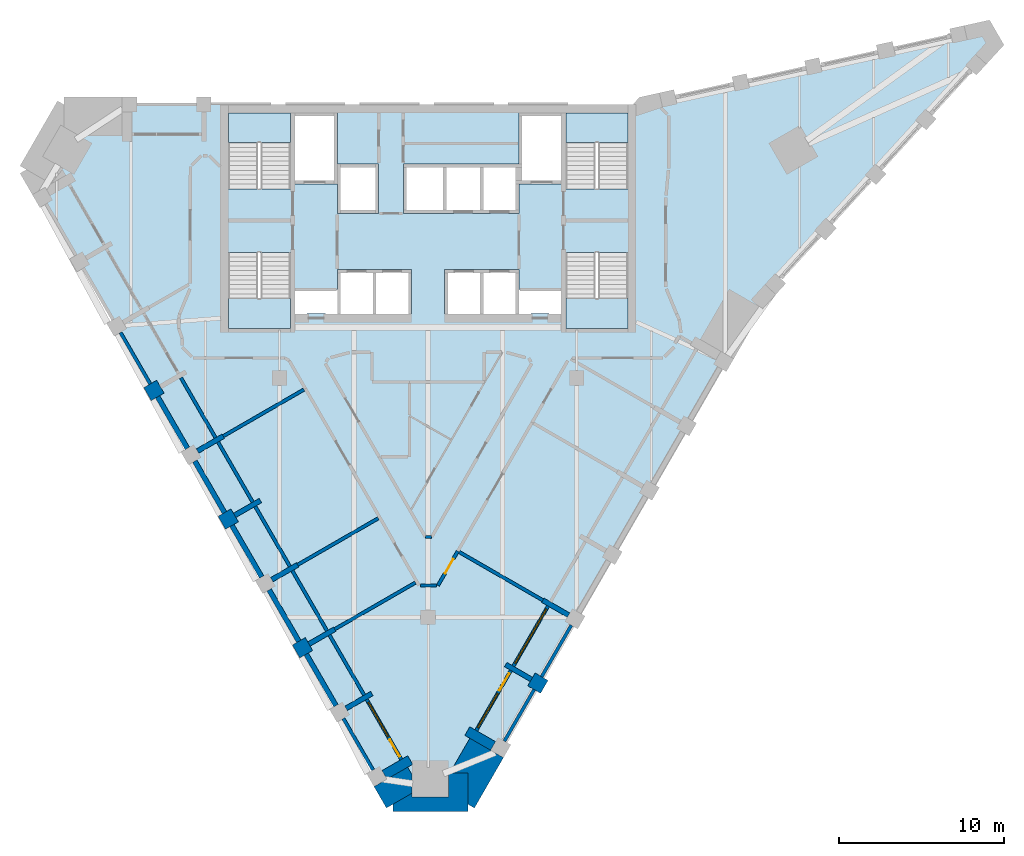
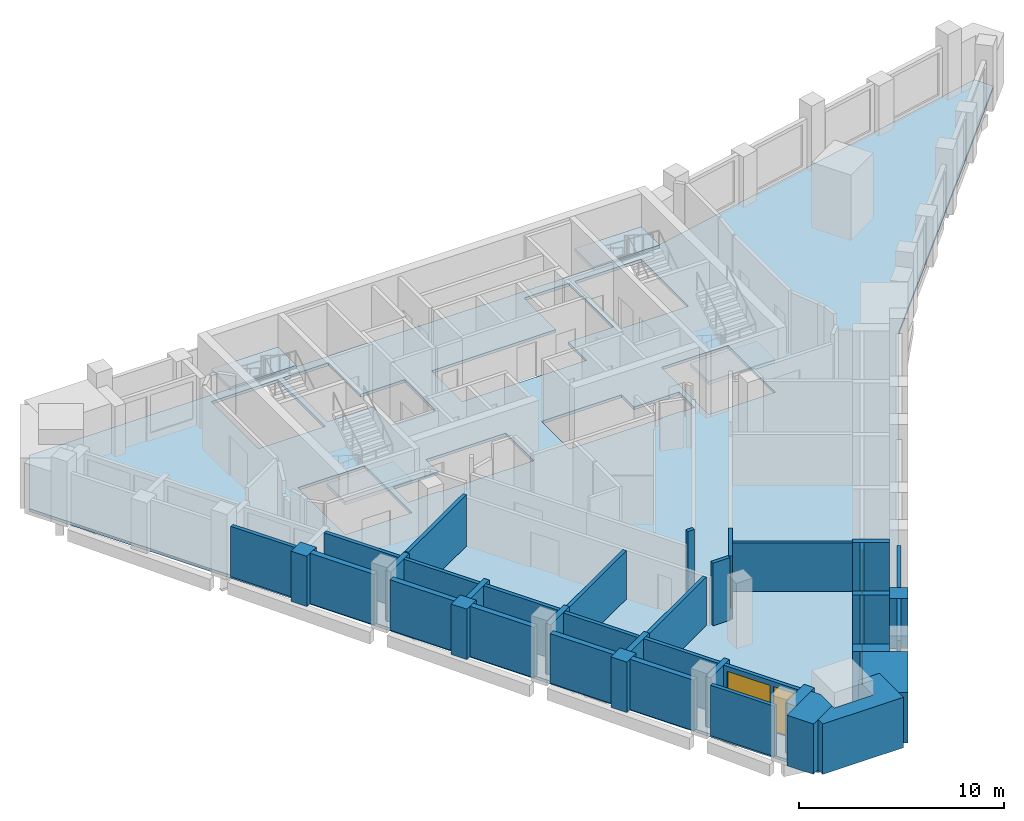
# One storey, part 2 of 8: 40 walls, 5 slabs, 3 doors, 3 windows, 6 openings, 4 elements without a shape of their own.
"""IFC4 building model written with IfcOpenShell, lengths in metres."""

from ifc_helpers import new_model, si_unit, direction, frame, frame_2d, origin, place, context, subcontext, project, spatial, polyline, rectangle, outline, extrude, material, layer, layer_set, type_object, element, fill, aggregate, save


model = new_model("IFC4")

# Units and contexts
model_context = context("Model", 3, precision=1e-05, world=origin(), true_north=direction((0.0, 1.0)))
body_context = subcontext(model_context, "Body", "Model", "MODEL_VIEW")
ifc_project = project(units=[si_unit("LENGTHUNIT", "METRE"), si_unit("AREAUNIT", "SQUARE_METRE"), si_unit("VOLUMEUNIT", "CUBIC_METRE"), si_unit("PLANEANGLEUNIT", "RADIAN"), si_unit("MASSUNIT", "GRAM", prefix="KILO")], contexts=[model_context])

# Site, building, storey
site_placement = place(None, origin())
site = spatial("IfcSite", under=ifc_project, at=site_placement, CompositionType="ELEMENT")
building_placement = place(site_placement, origin())
building = spatial("IfcBuilding", under=site, at=building_placement, Name="Calabash Gate Tower", CompositionType="ELEMENT")
storey_placement = place(building_placement, frame((0.0, 0.0, 259.89990234375)))
storey = spatial("IfcBuildingStorey", under=building, at=storey_placement, Name="L62", CompositionType="ELEMENT", Elevation=259.89990234375)

# Slab
ifc_material_1 = material(Name="Concrete C40/50", Category="concrete")
ifc_layer_1 = layer(ifc_material_1, 0.169921875)
ifc_layer_set_1 = layer_set([ifc_layer_1], Name="Composite floor slab 170 Concrete C40/50")
slab_type_1 = type_object("IfcSlabType", Name="Composite floor slab 170 Concrete C40/50", PredefinedType="FLOOR", material=ifc_layer_set_1)
slab_1_placement = place(storey_placement, frame((0.0, 0.0, -0.169921875)))
element("IfcSlab", 1, at=slab_1_placement, inside=storey, type_object=slab_type_1, Name="Floor slab L62", PredefinedType="FLOOR", context=body_context, shape_type="SweptSolid", body=[
    extrude(outline(polyline([(-24.33251953125, 15.11376953125), (-22.058349609375, 19.052490234375), (12.88134765625, 19.052490234375), (33.783935546875, 23.664794921875), (34.326904296875, 22.724365234375), (19.88134765625, 6.92822265625), (2.411376953125, -23.33056640625), (-2.136474609375, -23.33056640625), (-24.33251953125, 15.11376953125)]), holes=[polyline([(-1.0, 9.052490234375), (-3.25, 9.052490234375), (-5.5, 9.052490234375), (-5.5, 7.8525390625), (-8.050048828125, 7.8525390625), (-8.050048828125, 6.3525390625), (-7.324951171875, 6.3525390625), (-7.324951171875, 6.402587890625), (-6.22509765625, 6.402587890625), (-6.22509765625, 6.3525390625), (-5.5, 6.3525390625), (-3.25, 6.3525390625), (-1.0, 6.3525390625), (-1.0, 9.052490234375)]), polyline([(3.25, 6.3525390625), (5.5, 6.3525390625), (6.22509765625, 6.3525390625), (6.22509765625, 6.402587890625), (7.324951171875, 6.402587890625), (7.324951171875, 6.3525390625), (8.050048828125, 6.3525390625), (8.050048828125, 7.8525390625), (5.5, 7.8525390625), (5.5, 9.052490234375), (3.25, 9.052490234375), (1.0, 9.052490234375), (1.0, 6.3525390625), (3.25, 6.3525390625)]), polyline([(-5.5, 14.252685546875), (-5.5, 12.45263671875), (-3.0, 12.45263671875), (-3.0, 15.45263671875), (-5.5, 15.45263671875), (-5.5, 18.552490234375), (-8.050048828125, 18.552490234375), (-8.050048828125, 14.252685546875), (-5.5, 14.252685546875)]), polyline([(1.0, 15.45263671875), (-1.5, 15.45263671875), (-1.5, 12.45263671875), (1.0, 12.45263671875), (3.25, 12.45263671875), (5.5, 12.45263671875), (5.5, 14.252685546875), (8.050048828125, 14.252685546875), (8.050048828125, 18.552490234375), (5.5, 18.552490234375), (5.5, 15.45263671875), (3.25, 15.45263671875), (1.0, 15.45263671875)]), polyline([(-8.35009765625, 18.552490234375), (-12.10009765625, 18.552490234375), (-12.10009765625, 13.95263671875), (-8.35009765625, 13.95263671875), (-8.35009765625, 18.552490234375)]), polyline([(-12.10009765625, 10.1025390625), (-12.10009765625, 5.502685546875), (-8.35009765625, 5.502685546875), (-8.35009765625, 10.1025390625), (-12.10009765625, 10.1025390625)]), polyline([(8.35009765625, 13.95263671875), (12.10009765625, 13.95263671875), (12.10009765625, 18.552490234375), (8.35009765625, 18.552490234375), (8.35009765625, 13.95263671875)]), polyline([(12.10009765625, 5.502685546875), (12.10009765625, 10.1025390625), (8.35009765625, 10.1025390625), (8.35009765625, 5.502685546875), (12.10009765625, 5.502685546875)])]), origin(), (0.0, 0.0, 1.0), 0.169921875),
])

# Stair, slab
ifc_material_2 = material(Name="Concrete C40/50", Category="concrete")
stair_type = type_object("IfcStairType", Name="Exit stair 22 risers of 177.3 mm", PredefinedType="HALF_TURN_STAIR", material=ifc_material_2)
stair_1_placement = place(storey_placement, origin())
stair_1 = element("IfcStair", 2, at=stair_1_placement, inside=storey, type_object=stair_type, Name="L62 Exit stair ST1", PredefinedType="HALF_TURN_STAIR")
ifc_material_3 = material(Name="Concrete C40/50", Category="concrete")
ifc_layer_2 = layer(ifc_material_3, 0.199951171875)
ifc_layer_set_2 = layer_set([ifc_layer_2], Name="Stair landing SL200")
slab_type_2 = type_object("IfcSlabType", Name="Stair landing SL200", PredefinedType="LANDING", material=ifc_layer_set_2)
slab_2_placement = place(storey_placement, frame((0.0, 0.0, 1.75)))
slab_2 = element("IfcSlab", 3, at=slab_2_placement, type_object=slab_type_2, Name="ST1 landing 1", PredefinedType="LANDING", context=body_context, shape_type="SweptSolid", body=[
    extrude(outline(polyline([(-8.35009765625, 16.74267578125), (-8.35009765625, 18.552490234375), (-12.10009765625, 18.552490234375), (-12.10009765625, 16.74267578125), (-8.35009765625, 16.74267578125)])), origin(), (0.0, 0.0, 1.0), 0.2001953125),
])
aggregate(stair_1, [slab_2])

stair_2_placement = place(storey_placement, origin())
stair_2 = element("IfcStair", 4, at=stair_2_placement, inside=storey, type_object=stair_type, Name="L62 Exit stair ST2", PredefinedType="HALF_TURN_STAIR")
slab_3_placement = place(storey_placement, frame((0.0, 0.0, 1.75)))
slab_3 = element("IfcSlab", 5, at=slab_3_placement, type_object=slab_type_2, Name="ST2 landing 1", PredefinedType="LANDING", context=body_context, shape_type="SweptSolid", body=[
    extrude(outline(polyline([(-12.10009765625, 7.3125), (-12.10009765625, 5.502685546875), (-8.35009765625, 5.502685546875), (-8.35009765625, 7.3125), (-12.10009765625, 7.3125)])), origin(), (0.0, 0.0, 1.0), 0.2001953125),
])
aggregate(stair_2, [slab_3])

stair_3_placement = place(storey_placement, origin())
stair_3 = element("IfcStair", 6, at=stair_3_placement, inside=storey, type_object=stair_type, Name="L62 Exit stair ST3", PredefinedType="HALF_TURN_STAIR")
slab_4_placement = place(storey_placement, frame((0.0, 0.0, 1.75)))
slab_4 = element("IfcSlab", 7, at=slab_4_placement, type_object=slab_type_2, Name="ST3 landing 1", PredefinedType="LANDING", context=body_context, shape_type="SweptSolid", body=[
    extrude(outline(polyline([(12.10009765625, 16.74267578125), (12.10009765625, 18.552490234375), (8.35009765625, 18.552490234375), (8.35009765625, 16.74267578125), (12.10009765625, 16.74267578125)])), origin(), (0.0, 0.0, 1.0), 0.2001953125),
])
aggregate(stair_3, [slab_4])

stair_4_placement = place(storey_placement, origin())
stair_4 = element("IfcStair", 8, at=stair_4_placement, inside=storey, type_object=stair_type, Name="L62 Exit stair ST4", PredefinedType="HALF_TURN_STAIR")
slab_5_placement = place(storey_placement, frame((0.0, 0.0, 1.75)))
slab_5 = element("IfcSlab", 9, at=slab_5_placement, type_object=slab_type_2, Name="ST4 landing 1", PredefinedType="LANDING", context=body_context, shape_type="SweptSolid", body=[
    extrude(outline(polyline([(8.35009765625, 7.3125), (8.35009765625, 5.502685546875), (12.10009765625, 5.502685546875), (12.10009765625, 7.3125), (8.35009765625, 7.3125)])), origin(), (0.0, 0.0, 1.0), 0.2001953125),
])
aggregate(stair_4, [slab_5])

# Walls
ifc_material_4 = material(Name="Terracotta brick masonry, exposed face", Category="masonry")
ifc_layer_3 = layer(ifc_material_4, 2.35009765625)
ifc_layer_set_3 = layer_set([ifc_layer_3], Name="Brick corner mass wall 2350")
wall_type_1 = type_object("IfcWallType", Name="Brick corner mass wall 2350", PredefinedType="SOLIDWALL", material=ifc_layer_set_3)
wall_1_placement = place(storey_placement, origin())
element("IfcWall", 10, at=wall_1_placement, inside=storey, type_object=wall_type_1, Name="Brick corner pier S18 1a", PredefinedType="SOLIDWALL", context=body_context, shape_type="SweptSolid", body=[
    extrude(outline(polyline([(-1.239013671875, -21.085205078125), (-3.274169921875, -22.26025390625), (-2.5263671875, -23.5556640625), (-0.962890625, -22.653076171875), (-0.962890625, -21.5634765625), (-1.239013671875, -21.085205078125)])), origin(), (0.0, 0.0, 1.0), 3.0),
])
wall_2_placement = place(storey_placement, origin())
element("IfcWall", 11, at=wall_2_placement, inside=storey, type_object=wall_type_1, Name="Brick corner pier S18 1b", PredefinedType="SOLIDWALL", context=body_context, shape_type="SweptSolid", body=[
    extrude(outline(polyline([(-0.962890625, -22.881103515625), (-0.962890625, -22.653076171875), (-2.136474609375, -23.33056640625), (-2.136474609375, -23.78076171875), (2.411376953125, -23.78076171875), (2.411376953125, -21.4306640625), (1.237060546875, -21.4306640625), (1.237060546875, -22.881103515625), (-0.962890625, -22.881103515625)])), origin(), (0.0, 0.0, 1.0), 3.0),
])
wall_3_placement = place(storey_placement, origin())
element("IfcWall", 12, at=wall_3_placement, inside=storey, type_object=wall_type_1, Name="Brick corner pier S18 1c", PredefinedType="SOLIDWALL", context=body_context, shape_type="SweptSolid", body=[
    extrude(outline(polyline([(4.56103515625, -20.507080078125), (2.526123046875, -19.332275390625), (1.314453125, -21.4306640625), (2.411376953125, -21.4306640625), (2.411376953125, -23.33056640625), (2.80126953125, -23.5556640625), (4.56103515625, -20.507080078125)])), origin(), (0.0, 0.0, 1.0), 3.0),
])
ifc_material_5 = material(Name="Terracotta brick masonry, exposed face", Category="masonry")
ifc_layer_4 = layer(ifc_material_5, 0.89990234375)
ifc_layer_set_4 = layer_set([ifc_layer_4], Name="Brick end wall 900")
wall_type_2 = type_object("IfcWallType", Name="Brick end wall 900", PredefinedType="SOLIDWALL", material=ifc_layer_set_4)
for number, where, z_axis, x_axis, name in (
    (13, (-16.83447265625, 2.126953125, 0.0), (0.0, 0.0, 1.0), (0.499902469156, -0.866081705922, 0.0), "Brick pier S18 SW0.3"),
    (14, (-12.499267578125, -6.281982421875, 0.0), (0.0, 0.0, 1.0), (0.866081705922, 0.499902469156, 0.0), "Brick pier S18 SW0.5"),
    (15, (-7.999267578125, -14.076171875, 0.0), (0.0, 0.0, 1.0), (0.866081705922, 0.499902469156, 0.0), "Brick pier S18 SW0.7"),
):
    element("IfcWall", number, at=place(storey_placement, frame(where, z_axis=z_axis, x_axis=x_axis)), inside=storey, type_object=wall_type_2, Name=name, PredefinedType="SOLIDWALL", context=body_context, shape_type="SweptSolid", body=[
        extrude(rectangle(XDim=0.900146484375, YDim=0.89990234375, at=frame_2d((0.4501953125, 0.0))), origin(), (0.0, 0.0, 1.0), 3.0),
    ])
wall_4_placement = place(storey_placement, frame((6.2568359375, -15.7705078125, 0.0), z_axis=(0.0, 0.0, 1.0), x_axis=(0.866013897511, -0.50001992892, 0.0)))
element("IfcWall", 16, at=wall_4_placement, inside=storey, type_object=wall_type_2, Name="Brick pier S18 SE2.1", PredefinedType="SOLIDWALL", context=body_context, shape_type="SweptSolid", body=[
    extrude(rectangle(XDim=0.89990234375, YDim=0.89990234375, at=frame_2d((0.449951171875, 0.0))), origin(), (0.0, 0.0, 1.0), 3.0),
])
ifc_material_6 = material(Name="Terracotta brick masonry, exposed face", Category="masonry")
ifc_layer_5 = layer(ifc_material_6, 0.300048828125)
ifc_layer_set_5 = layer_set([ifc_layer_5], Name="Brick infill panel wall 300")
wall_type_3 = type_object("IfcWallType", Name="Brick infill panel wall 300", PredefinedType="SOLIDWALL", material=ifc_layer_set_5)
for number, where, z_axis, x_axis, name in (
    (17, (-16.384521484375, 1.347412109375, 0.0), (0.0, 0.0, 1.0), (0.500012057535, -0.866018442252, 0.0), "Brick panel S18 SW0.4"),
    (18, (-14.134521484375, -2.549560546875, 0.0), (0.0, 0.0, 1.0), (0.500012057535, -0.866018442252, 0.0), "Brick panel S18 SW0.5"),
    (19, (-11.884521484375, -6.44677734375, 0.0), (0.0, 0.0, 1.0), (0.500012057535, -0.866018442252, 0.0), "Brick panel S18 SW0.6"),
):
    element("IfcWall", number, at=place(storey_placement, frame(where, z_axis=z_axis, x_axis=x_axis)), inside=storey, type_object=wall_type_3, Name=name, PredefinedType="SOLIDWALL", context=body_context, shape_type="SweptSolid", body=[
        extrude(rectangle(XDim=3.60009765625, YDim=0.300048828125, at=frame_2d((1.800048828125, 0.0))), origin(), (0.0, 0.0, 1.0), 3.0),
    ])
wall_5_placement = place(storey_placement, frame((-9.634521484375, -10.34375, 0.0), z_axis=(0.0, 0.0, 1.0), x_axis=(0.500012057535, -0.866018442252, 0.0)))
element("IfcWall", 20, at=wall_5_placement, inside=storey, type_object=wall_type_3, Name="Brick panel S18 SW0.7", PredefinedType="SOLIDWALL", context=body_context, shape_type="SweptSolid", body=[
    extrude(rectangle(XDim=3.60009765625, YDim=0.300048828125, at=frame_2d((1.800048828125, 0.0))), origin(), (0.0, 0.0, 1.0), 2.9501953125),
])
wall_6_placement = place(storey_placement, frame((-5.584716796875, -17.358154296875, 0.0), z_axis=(0.0, 0.0, 1.0), x_axis=(-0.50001992892, 0.866013897511, 0.0)))
element("IfcWall", 21, at=wall_6_placement, inside=storey, type_object=wall_type_3, Name="Brick panel S18 SW0.8", PredefinedType="SOLIDWALL", context=body_context, shape_type="SweptSolid", body=[
    extrude(rectangle(XDim=3.599365234375, YDim=0.300048828125, at=frame_2d((1.7998046875, 0.0))), origin(), (0.0, 0.0, 1.0), 3.0),
])
ifc_material_7 = material(Name="Terracotta brick masonry, exposed face", Category="masonry")
ifc_layer_6 = layer(ifc_material_7, 0.300048828125)
ifc_layer_set_6 = layer_set([ifc_layer_6], Name="Brick loggia cheek wall 300")
wall_type_4 = type_object("IfcWallType", Name="Brick loggia cheek wall 300", PredefinedType="SOLIDWALL", material=ifc_layer_set_6)
for number, where, z_axis, x_axis, name in (
    (22, (-12.410888671875, -1.034912109375, 0.0), (0.0, 0.0, 1.0), (-0.866047807691, -0.499961193289, 0.0), "Loggia cheek S18 SW0.4"),
    (23, (-11.7197265625, -5.83203125, 0.0), (0.0, 0.0, 1.0), (0.865989075817, 0.500062916607, 0.0), "Loggia cheek S18 SW0.5"),
    (24, (-7.910888671875, -8.8291015625, 0.0), (0.0, 0.0, 1.0), (-0.866047807691, -0.499961193289, 0.0), "Loggia cheek S18 SW0.6"),
    (25, (-7.2197265625, -13.626220703125, 0.0), (0.0, 0.0, 1.0), (0.866047807691, 0.499961193289, 0.0), "Loggia cheek S18 SW0.7"),
    (26, (-4.9697265625, -17.5234375, 0.0), (0.0, 0.0, 1.0), (0.865989075817, 0.500062916607, 0.0), "Loggia cheek S18 SW0.8"),
):
    element("IfcWall", number, at=place(storey_placement, frame(where, z_axis=z_axis, x_axis=x_axis)), inside=storey, type_object=wall_type_4, Name=name, PredefinedType="SOLIDWALL", context=body_context, shape_type="SweptSolid", body=[
        extrude(rectangle(XDim=1.800048828125, YDim=0.300048828125, at=frame_2d((0.89990234375, 0.0))), origin(), (0.0, 0.0, 1.0), 3.0),
    ])
for number, where, z_axis, x_axis, name in (
    (27, (-2.644775390625, -21.55029296875, 0.0), (0.0, 0.0, 1.0), (0.866047807691, 0.499961193289, 0.0), "Loggia cheek S18 SW0.9"),
    (28, (3.931640625, -19.79736328125, 0.0), (0.0, 0.0, 1.0), (-0.866047807691, 0.499961193289, 0.0), "Loggia cheek S18 SE2.0"),
):
    element("IfcWall", number, at=place(storey_placement, frame(where, z_axis=z_axis, x_axis=x_axis)), inside=storey, type_object=wall_type_4, Name=name, PredefinedType="SOLIDWALL", context=body_context, shape_type="SweptSolid", body=[
        extrude(rectangle(XDim=1.800048828125, YDim=0.60009765625, at=frame_2d((0.89990234375, 0.0))), origin(), (0.0, 0.0, 1.0), 3.0),
    ])
wall_7_placement = place(storey_placement, frame((4.697998046875, -14.870361328125, 0.0), z_axis=(0.0, 0.0, 1.0), x_axis=(0.865989075817, -0.500062916607, 0.0)))
element("IfcWall", 29, at=wall_7_placement, inside=storey, type_object=wall_type_4, Name="Loggia cheek S18 SE2.1", PredefinedType="SOLIDWALL", context=body_context, shape_type="SweptSolid", body=[
    extrude(rectangle(XDim=1.800048828125, YDim=0.300048828125, at=frame_2d((0.89990234375, 0.0))), origin(), (0.0, 0.0, 1.0), 3.0),
])
wall_8_placement = place(storey_placement, frame((6.947998046875, -10.973388671875, 0.0), z_axis=(0.0, 0.0, 1.0), x_axis=(0.866038726271, -0.499976924066, 0.0)))
element("IfcWall", 30, at=wall_8_placement, inside=storey, type_object=wall_type_4, Name="Loggia cheek S18 SE2.2", PredefinedType="SOLIDWALL", context=body_context, shape_type="SweptSolid", body=[
    extrude(rectangle(XDim=1.79931640625, YDim=0.300048828125, at=frame_2d((0.899658203125, 0.0))), origin(), (0.0, 0.0, 1.0), 2.9501953125),
])
ifc_material_8 = material(Name="Gypsum board on steel studs, mineral wool", Category="steel")
ifc_layer_7 = layer(ifc_material_8, 0.199951171875)
ifc_layer_set_7 = layer_set([ifc_layer_7], Name="Partition 200 gypsum board EI 60")
wall_type_5 = type_object("IfcWallType", Name="Partition 200 gypsum board EI 60", PredefinedType="PARTITIONING", material=ifc_layer_set_7)
wall_9_placement = place(storey_placement, frame((-5.66064453125, -12.7265625, 0.0), z_axis=(0.0, 0.0, 1.0), x_axis=(0.866171915947, 0.499746147583, 0.0)))
element("IfcWall", 31, at=wall_9_placement, inside=storey, type_object=wall_type_5, Name="Partition", PredefinedType="PARTITIONING", context=body_context, shape_type="SweptSolid", body=[
    extrude(rectangle(XDim=5.6494140625, YDim=0.199951171875, at=frame_2d((2.82470703125, 0.0))), origin(), (0.0, 0.0, 1.0), 2.88427734375),
])
wall_10_placement = place(storey_placement, frame((-0.449462890625, -10.079833984375, 0.0), z_axis=(0.0, 0.0, 1.0), x_axis=(0.999999966511, 0.000258799163, 0.0)))
element("IfcWall", 32, at=wall_10_placement, inside=storey, type_object=wall_type_5, Name="Partition", PredefinedType="PARTITIONING", context=body_context, shape_type="SweptSolid", body=[
    extrude(rectangle(XDim=0.943359375, YDim=0.199951171875, at=frame_2d((0.4716796875, 0.0))), origin(), (0.0, 0.0, 1.0), 3.72998046875),
])

# Wall, opening, door
wall_11_placement = place(storey_placement, frame((0.593994140625, -10.07958984375, 0.0), z_axis=(0.0, 0.0, 1.0), x_axis=(0.500575540498, 0.865692860231, 0.0)))
wall_11 = element("IfcWall", 33, at=wall_11_placement, inside=storey, type_object=wall_type_5, Name="Partition", PredefinedType="PARTITIONING", context=body_context, shape_type="SweptSolid", body=[
    extrude(rectangle(XDim=2.402587890625, YDim=0.199951171875, at=frame_2d((1.201171875, 0.0))), origin(), (0.0, 0.0, 1.0), 3.72998046875),
])
opening_1_placement = place(wall_11_placement, frame((0.8544921875, 0.0, 0.0)))
opening_1 = element("IfcOpeningElement", 34, at=opening_1_placement, cuts=wall_11, Name="Opening 62-64-011", PredefinedType="OPENING", context=body_context, shape_type="SweptSolid", body=[
    extrude(rectangle(XDim=1.0, YDim=2.10009765625, at=frame_2d((0.5, 1.050048828125))), frame((0.0, 0.10986328125, 0.0), z_axis=(0.0, -1.0, 0.0), x_axis=(1.0, 0.0, 0.0)), (0.0, 0.0, 1.0), 0.219970703125),
])
ifc_material_9 = material(Name="Steel fire door set with fire-resisting glazing", Category="steel")
door_type_1 = type_object("IfcDoorType", Name="LD2 Meeting room door 1000x2100", OperationType="NOTDEFINED", PredefinedType="DOOR", material=ifc_material_9)
door_1_placement = place(opening_1_placement, origin())
door_1 = element("IfcDoor", 35, at=door_1_placement, inside=storey, type_object=door_type_1, Name="Meeting room door", OperationType="SINGLE_SWING_RIGHT", OverallHeight=2.10009765625, OverallWidth=1.0, PredefinedType="DOOR", context=body_context, shape_type="SweptSolid", body=[
    extrude(rectangle(XDim=1.0, YDim=2.10009765625, at=frame_2d((0.5, 1.050048828125))), frame((0.0, 0.02490234375, 0.0), z_axis=(0.0, -1.0, 0.0), x_axis=(1.0, 0.0, 0.0)), (0.0, 0.0, 1.0), 0.050048828125),
])
fill(opening_1, door_1)

# Walls
wall_12_placement = place(storey_placement, frame((1.881103515625, -8.05029296875, 0.0), z_axis=(0.0, 0.0, 1.0), x_axis=(0.86614736797, -0.499788692307, 0.0)))
element("IfcWall", 36, at=wall_12_placement, inside=storey, type_object=wall_type_5, Name="Partition", PredefinedType="PARTITIONING", context=body_context, shape_type="SweptSolid", body=[
    extrude(rectangle(XDim=5.849609375, YDim=0.199951171875, at=frame_2d((2.9248046875, 0.0))), origin(), (0.0, 0.0, 1.0), 2.88427734375),
])
wall_13_placement = place(storey_placement, frame((-0.1669921875, -7.13818359375, 0.0), z_axis=(0.0, 0.0, 1.0), x_axis=(0.999996687272, -0.002573994047, 0.0)))
element("IfcWall", 37, at=wall_13_placement, inside=storey, type_object=wall_type_5, Name="Partition", PredefinedType="PARTITIONING", context=body_context, shape_type="SweptSolid", body=[
    extrude(rectangle(XDim=0.37939453125, YDim=0.199951171875, at=frame_2d((0.189697265625, 0.0))), origin(), (0.0, 0.0, 1.0), 3.72998046875),
])
wall_14_placement = place(storey_placement, frame((-7.910888671875, -8.829345703125, 0.0), z_axis=(0.0, 0.0, 1.0), x_axis=(0.866174794958, 0.49974115758, 0.0)))
element("IfcWall", 38, at=wall_14_placement, inside=storey, type_object=wall_type_5, Name="Partition", PredefinedType="PARTITIONING", context=body_context, shape_type="SweptSolid", body=[
    extrude(rectangle(XDim=5.64990234375, YDim=0.199951171875, at=frame_2d((2.824951171875, 0.0))), origin(), (0.0, 0.0, 1.0), 2.88427734375),
])
wall_15_placement = place(storey_placement, frame((-12.4111328125, -1.034423828125, 0.0), z_axis=(0.0, 0.0, 1.0), x_axis=(0.865901262238, 0.500214957848, 0.0)))
element("IfcWall", 39, at=wall_15_placement, inside=storey, type_object=wall_type_5, Name="Partition", PredefinedType="PARTITIONING", context=body_context, shape_type="SweptSolid", body=[
    extrude(rectangle(XDim=5.6494140625, YDim=0.199951171875, at=frame_2d((2.82470703125, 0.0))), origin(), (0.0, 0.0, 1.0), 3.052001953125),
])
ifc_material_10 = material(Name="Terracotta brick masonry, perforated", Category="masonry")
ifc_layer_8 = layer(ifc_material_10, 0.199951171875)
ifc_layer_set_8 = layer_set([ifc_layer_8], Name="Terracotta jaali screen B")
wall_type_6 = type_object("IfcWallType", Name="Terracotta jaali screen B", PredefinedType="SOLIDWALL", material=ifc_layer_set_8)
wall_16_placement = place(storey_placement, frame((-18.634521484375, 5.24462890625, 0.0), z_axis=(0.0, 0.0, 1.0), x_axis=(0.500012057535, -0.866018442252, 0.0)))
element("IfcWall", 40, at=wall_16_placement, inside=storey, type_object=wall_type_6, Name="SCREEN B S18 SW0.3", PredefinedType="SOLIDWALL", context=body_context, shape_type="SweptSolid", body=[
    extrude(rectangle(XDim=3.60009765625, YDim=0.199951171875, at=frame_2d((1.800048828125, 0.0))), origin(), (0.0, 0.0, 1.0), 3.0),
])
wall_17_placement = place(storey_placement, origin())
element("IfcWall", 41, at=wall_17_placement, inside=storey, type_object=wall_type_6, Name="SCREEN B S18 SW0.9", PredefinedType="SOLIDWALL", context=body_context, shape_type="SweptSolid", body=[
    extrude(outline(polyline([(-5.22119140625, -18.18798828125), (-3.42236328125, -21.3037109375), (-3.2490234375, -21.20361328125), (-5.0478515625, -18.088134765625), (-5.22119140625, -18.18798828125)])), origin(), (0.0, 0.0, 1.0), 3.0),
])
for number, where, z_axis, x_axis, name in (
    (42, (4.62158203125, -19.5029296875, 0.0), (0.0, 0.0, 1.0), (0.499961193289, 0.866047807691, 0.0), "SCREEN B S18 SE2.1"),
    (43, (6.87158203125, -15.605712890625, 0.0), (0.0, 0.0, 1.0), (0.499961193289, 0.866047807691, 0.0), "SCREEN B S18 SE2.2"),
):
    element("IfcWall", number, at=place(storey_placement, frame(where, z_axis=z_axis, x_axis=x_axis)), inside=storey, type_object=wall_type_6, Name=name, PredefinedType="SOLIDWALL", context=body_context, shape_type="SweptSolid", body=[
        extrude(rectangle(XDim=3.599853515625, YDim=0.199951171875, at=frame_2d((1.7998046875, 0.0))), origin(), (0.0, 0.0, 1.0), 3.0),
    ])
ifc_material_11 = material(Name="Aluminium framed window wall with insulated spandrel", Category="aluminium")
ifc_layer_9 = layer(ifc_material_11, 0.199951171875)
ifc_layer_set_9 = layer_set([ifc_layer_9], Name="Window wall 200")
wall_type_7 = type_object("IfcWallType", Name="Window wall 200", PredefinedType="ELEMENTEDWALL", material=ifc_layer_set_9)
for number, where, z_axis, x_axis, name in (
    (44, (-14.9755859375, 2.50732421875, 0.0), (0.0, 0.0, 1.0), (0.49998411664, -0.866034573852, 0.0), "Window wall S18 SW0.4"),
    (45, (-12.7255859375, -1.389892578125, 0.0), (0.0, 0.0, 1.0), (0.49998411664, -0.866034573852, 0.0), "Window wall S18 SW0.5"),
    (46, (-10.4755859375, -5.286865234375, 0.0), (0.0, 0.0, 1.0), (0.49998411664, -0.866034573852, 0.0), "Window wall S18 SW0.6"),
):
    element("IfcWall", number, at=place(storey_placement, frame(where, z_axis=z_axis, x_axis=x_axis)), inside=storey, type_object=wall_type_7, Name=name, PredefinedType="ELEMENTEDWALL", context=body_context, shape_type="SweptSolid", body=[
        extrude(rectangle(XDim=4.199951171875, YDim=0.199951171875, at=frame_2d((2.10009765625, 0.0))), origin(), (0.0, 0.0, 1.0), 3.0),
    ])
wall_18_placement = place(storey_placement, frame((-8.2255859375, -9.18408203125, 0.0), z_axis=(0.0, 0.0, 1.0), x_axis=(0.49998411664, -0.866034573852, 0.0)))
element("IfcWall", 47, at=wall_18_placement, inside=storey, type_object=wall_type_7, Name="Window wall S18 SW0.7", PredefinedType="ELEMENTEDWALL", context=body_context, shape_type="SweptSolid", body=[
    extrude(rectangle(XDim=4.199951171875, YDim=0.199951171875, at=frame_2d((2.10009765625, 0.0))), origin(), (0.0, 0.0, 1.0), 2.9501953125),
])
wall_19_placement = place(storey_placement, frame((-5.9755859375, -13.0810546875, 0.0), z_axis=(0.0, 0.0, 1.0), x_axis=(0.499958946799, -0.866049104564, 0.0)))
element("IfcWall", 48, at=wall_19_placement, inside=storey, type_object=wall_type_7, Name="Window wall S18 SW0.8", PredefinedType="ELEMENTEDWALL", context=body_context, shape_type="SweptSolid", body=[
    extrude(rectangle(XDim=4.199951171875, YDim=0.199951171875, at=frame_2d((2.10009765625, 0.0))), origin(), (0.0, 0.0, 1.0), 3.0),
])

# Wall, openings, door, window
wall_20_placement = place(storey_placement, frame((-3.7255859375, -16.978271484375, 0.0), z_axis=(0.0, 0.0, 1.0), x_axis=(0.49998411664, -0.866034573852, 0.0)))
wall_20 = element("IfcWall", 49, at=wall_20_placement, inside=storey, type_object=wall_type_7, Name="Window wall S18 SW0.9", PredefinedType="ELEMENTEDWALL", context=body_context, shape_type="SweptSolid", body=[
    extrude(rectangle(XDim=4.199951171875, YDim=0.199951171875, at=frame_2d((2.10009765625, 0.0))), origin(), (0.0, 0.0, 1.0), 3.0),
])
opening_2_placement = place(wall_20_placement, frame((0.199951171875, 0.0, 0.449951171875)))
opening_2 = element("IfcOpeningElement", 50, at=opening_2_placement, cuts=wall_20, Name="Opening OW1", PredefinedType="OPENING", context=body_context, shape_type="SweptSolid", body=[
    extrude(rectangle(XDim=2.39990234375, YDim=2.25, at=frame_2d((1.199951171875, 1.125))), frame((0.0, 0.10986328125, 0.0), z_axis=(0.0, -1.0, 0.0), x_axis=(1.0, 0.0, 0.0)), (0.0, 0.0, 1.0), 0.219970703125),
])
opening_3_placement = place(wall_20_placement, frame((2.800048828125, 0.0, 0.0)))
opening_3 = element("IfcOpeningElement", 51, at=opening_3_placement, cuts=wall_20, Name="Opening O10-017", PredefinedType="OPENING", context=body_context, shape_type="SweptSolid", body=[
    extrude(rectangle(XDim=1.199951171875, YDim=2.699951171875, at=frame_2d((0.60009765625, 1.35009765625))), frame((0.0, 0.10986328125, 0.0), z_axis=(0.0, -1.0, 0.0), x_axis=(1.0, 0.0, 0.0)), (0.0, 0.0, 1.0), 0.219970703125),
])
ifc_material_12 = material(Name="Anodised aluminium frame, bronze finish, impact-rated laminated clear glazing", Category="aluminium")
door_type_2 = type_object("IfcDoorType", Name="Loggia door DO1 1200x2700", OperationType="SLIDING_TO_LEFT", PredefinedType="DOOR", material=ifc_material_12)
door_2_placement = place(opening_3_placement, origin())
door_2 = element("IfcDoor", 52, at=door_2_placement, inside=storey, type_object=door_type_2, Name="Loggia door S18 SW0.9", OperationType="SINGLE_SWING_LEFT", OverallHeight=2.699951171875, OverallWidth=1.199951171875, PredefinedType="DOOR", context=body_context, shape_type="SweptSolid", body=[
    extrude(rectangle(XDim=1.199951171875, YDim=2.699951171875, at=frame_2d((0.60009765625, 1.35009765625))), frame((0.0, 0.02490234375, 0.0), z_axis=(0.0, -1.0, 0.0), x_axis=(1.0, 0.0, 0.0)), (0.0, 0.0, 1.0), 0.050048828125),
])
fill(opening_3, door_2)
ifc_material_13 = material(Name="Anodised aluminium frame, bronze finish, impact-rated laminated clear glazing", Category="aluminium")
window_type_1 = type_object("IfcWindowType", Name="Window OW1 2400x2250", PartitioningType="DOUBLE_PANEL_VERTICAL", PredefinedType="WINDOW", material=ifc_material_13)
window_1_placement = place(opening_2_placement, origin())
window_1 = element("IfcWindow", 53, at=window_1_placement, inside=storey, type_object=window_type_1, Name="Window OW1 S18 SW0.9", OverallHeight=2.25, OverallWidth=2.39990234375, PartitioningType="SINGLE_PANEL", PredefinedType="WINDOW", context=body_context, shape_type="SweptSolid", body=[
    extrude(rectangle(XDim=2.39990234375, YDim=2.25, at=frame_2d((1.199951171875, 1.125))), frame((0.0, 0.030029296875, 0.0), z_axis=(0.0, -1.0, 0.0), x_axis=(1.0, 0.0, 0.0)), (0.0, 0.0, 1.0), 0.06005859375),
])
fill(opening_2, window_1)

wall_21_placement = place(storey_placement, frame((2.91259765625, -18.86279296875, 0.0), z_axis=(0.0, 0.0, 1.0), x_axis=(0.500002543286, 0.866023935413, 0.0)))
wall_21 = element("IfcWall", 54, at=wall_21_placement, inside=storey, type_object=wall_type_7, Name="Window wall S18 SE2.1", PredefinedType="ELEMENTEDWALL", context=body_context, shape_type="SweptSolid", body=[
    extrude(rectangle(XDim=4.2001953125, YDim=0.199951171875, at=frame_2d((2.10009765625, 0.0))), origin(), (0.0, 0.0, 1.0), 3.0),
])
opening_4_placement = place(wall_21_placement, frame((0.199951171875, 0.0, 0.449951171875)))
opening_4 = element("IfcOpeningElement", 55, at=opening_4_placement, cuts=wall_21, Name="Opening OW1", PredefinedType="OPENING", context=body_context, shape_type="SweptSolid", body=[
    extrude(rectangle(XDim=2.39990234375, YDim=2.25, at=frame_2d((1.199951171875, 1.125))), frame((0.0, 0.10986328125, 0.0), z_axis=(0.0, -1.0, 0.0), x_axis=(1.0, 0.0, 0.0)), (0.0, 0.0, 1.0), 0.219970703125),
])
opening_5_placement = place(wall_21_placement, frame((2.800048828125, 0.0, 0.0)))
opening_5 = element("IfcOpeningElement", 56, at=opening_5_placement, cuts=wall_21, Name="Opening O10-014", PredefinedType="OPENING", context=body_context, shape_type="SweptSolid", body=[
    extrude(rectangle(XDim=1.199951171875, YDim=2.699951171875, at=frame_2d((0.60009765625, 1.35009765625))), frame((0.0, 0.10986328125, 0.0), z_axis=(0.0, -1.0, 0.0), x_axis=(1.0, 0.0, 0.0)), (0.0, 0.0, 1.0), 0.219970703125),
])
door_3_placement = place(opening_5_placement, origin())
door_3 = element("IfcDoor", 57, at=door_3_placement, inside=storey, type_object=door_type_2, Name="Loggia door S18 SE2.1", OperationType="SINGLE_SWING_LEFT", OverallHeight=2.699951171875, OverallWidth=1.199951171875, PredefinedType="DOOR", context=body_context, shape_type="SweptSolid", body=[
    extrude(rectangle(XDim=1.199951171875, YDim=2.699951171875, at=frame_2d((0.60009765625, 1.35009765625))), frame((0.0, 0.02490234375, 0.0), z_axis=(0.0, -1.0, 0.0), x_axis=(1.0, 0.0, 0.0)), (0.0, 0.0, 1.0), 0.050048828125),
])
fill(opening_5, door_3)
window_2_placement = place(opening_4_placement, origin())
window_2 = element("IfcWindow", 58, at=window_2_placement, inside=storey, type_object=window_type_1, Name="Window OW1 S18 SE2.1", OverallHeight=2.25, OverallWidth=2.39990234375, PartitioningType="SINGLE_PANEL", PredefinedType="WINDOW", context=body_context, shape_type="SweptSolid", body=[
    extrude(rectangle(XDim=2.39990234375, YDim=2.25, at=frame_2d((1.199951171875, 1.125))), frame((0.0, 0.030029296875, 0.0), z_axis=(0.0, -1.0, 0.0), x_axis=(1.0, 0.0, 0.0)), (0.0, 0.0, 1.0), 0.06005859375),
])
fill(opening_4, window_2)

# Wall, opening, window
wall_22_placement = place(storey_placement, frame((5.16259765625, -14.965576171875, 0.0), z_axis=(0.0, 0.0, 1.0), x_axis=(0.500027713859, 0.866009402589, 0.0)))
wall_22 = element("IfcWall", 59, at=wall_22_placement, inside=storey, type_object=wall_type_7, Name="Window wall S18 SE2.2", PredefinedType="ELEMENTEDWALL", context=body_context, shape_type="SweptSolid", body=[
    extrude(rectangle(XDim=4.199951171875, YDim=0.199951171875, at=frame_2d((2.10009765625, 0.0))), origin(), (0.0, 0.0, 1.0), 2.9501953125),
])
opening_6_placement = place(wall_22_placement, frame((0.199951171875, 0.0, 0.449951171875)))
opening_6 = element("IfcOpeningElement", 60, at=opening_6_placement, cuts=wall_22, Name="Opening OW2", PredefinedType="OPENING", context=body_context, shape_type="SweptSolid", body=[
    extrude(rectangle(XDim=3.800048828125, YDim=2.25, at=frame_2d((1.89990234375, 1.125))), frame((0.0, 0.10986328125, 0.0), z_axis=(0.0, -1.0, 0.0), x_axis=(1.0, 0.0, 0.0)), (0.0, 0.0, 1.0), 0.219970703125),
])
ifc_material_14 = material(Name="Anodised aluminium frame, bronze finish, impact-rated laminated clear glazing", Category="aluminium")
window_type_2 = type_object("IfcWindowType", Name="Window OW2 3800x2250", PartitioningType="TRIPLE_PANEL_VERTICAL", PredefinedType="WINDOW", material=ifc_material_14)
window_3_placement = place(opening_6_placement, origin())
window_3 = element("IfcWindow", 61, at=window_3_placement, inside=storey, type_object=window_type_2, Name="Window OW2 S18 SE2.2", OverallHeight=2.25, OverallWidth=3.800048828125, PartitioningType="SINGLE_PANEL", PredefinedType="WINDOW", context=body_context, shape_type="SweptSolid", body=[
    extrude(rectangle(XDim=3.800048828125, YDim=2.25, at=frame_2d((1.89990234375, 1.125))), frame((0.0, 0.030029296875, 0.0), z_axis=(0.0, -1.0, 0.0), x_axis=(1.0, 0.0, 0.0)), (0.0, 0.0, 1.0), 0.06005859375),
])
fill(opening_6, window_3)

save(model, "model.ifc")
